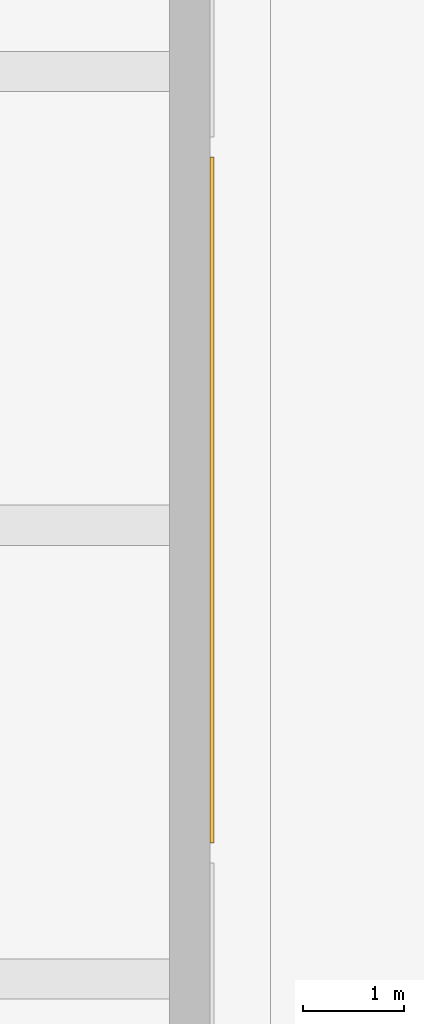
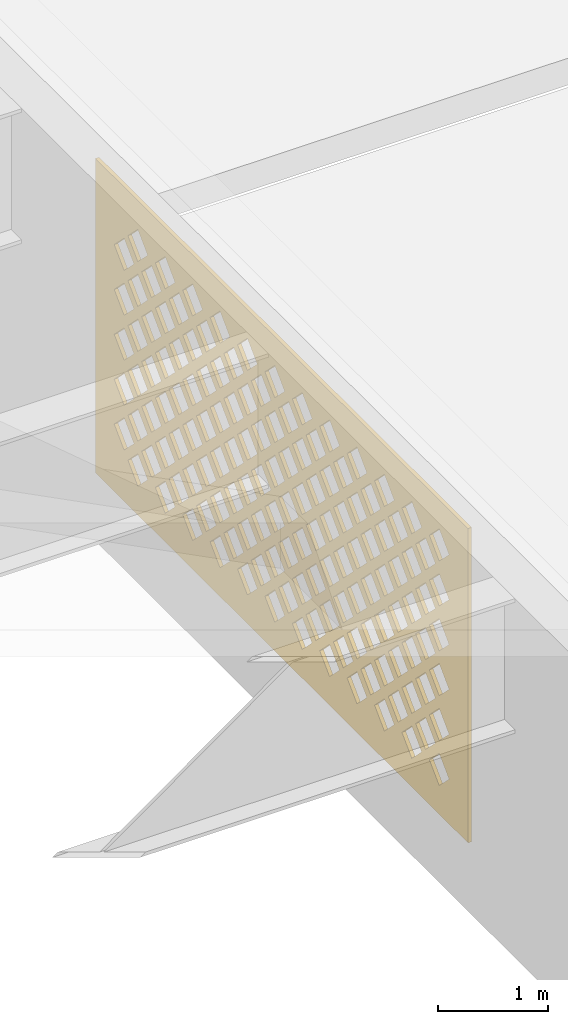
# One storey, part 32 of 63: 1 covering.
"""IFC4 building model written with IfcOpenShell, lengths in metres."""

from ifc_helpers import new_model, si_unit, direction, frame, origin, place, context, subcontext, project, spatial, polyline, outline, extrude, material, layer, layer_set, type_object, element, save


model = new_model("IFC4")

# Units and contexts
model_context = context("Model", 3, precision=1e-05, world=origin(), true_north=direction((0.0, 1.0)))
body_context = subcontext(model_context, "Body", "Model", "MODEL_VIEW")
ifc_project = project(units=[si_unit("LENGTHUNIT", "METRE"), si_unit("AREAUNIT", "SQUARE_METRE"), si_unit("VOLUMEUNIT", "CUBIC_METRE"), si_unit("PLANEANGLEUNIT", "RADIAN"), si_unit("MASSUNIT", "GRAM", prefix="KILO")], contexts=[model_context])

# Site, building, storey
site_placement = place(None, origin())
site = spatial("IfcSite", under=ifc_project, at=site_placement, CompositionType="ELEMENT")
building_placement = place(site_placement, origin())
building = spatial("IfcBuilding", under=site, at=building_placement, Name="Noorbagh Ring Tower", CompositionType="ELEMENT")
storey_placement = place(building_placement, frame((0.0, 0.0, 25.0)))
storey = spatial("IfcBuildingStorey", under=building, at=storey_placement, Name="L04", CompositionType="ELEMENT", Elevation=25.0)

# Covering
ifc_material = material(Name="Red sandstone jali", Category="masonry")
ifc_layer = layer(ifc_material, 0.0400390625)
ifc_layer_set = layer_set([ifc_layer], Name="Red sandstone jali")
covering_type = type_object("IfcCoveringType", Name="STH-BAND", PredefinedType="USERDEFINED", material=ifc_layer_set)
covering_placement = place(storey_placement, frame((-139.760009765625, 8.60009765625, 0.199951171875), z_axis=(1.0, 0.0, 0.0), x_axis=(0.0, 1.0, 0.0)))
element("IfcCovering", 1, at=covering_placement, inside=storey, type_object=covering_type, Name="Jali band of the stage house", ObjectType="JALI SCREEN", PredefinedType="USERDEFINED", context=body_context, shape_type="SweptSolid", body=[
    extrude(outline(polyline([(0.0, 0.0), (6.7998046875, 0.0), (6.7998046875, 3.5), (0.0, 3.5), (0.0, 0.0)]), holes=[polyline([(0.344970703125, 0.5), (0.52490234375, 0.320068359375), (0.705078125, 0.5), (0.52490234375, 0.679931640625), (0.344970703125, 0.5)]), polyline([(0.844970703125, 0.5), (1.02490234375, 0.320068359375), (1.205078125, 0.5), (1.02490234375, 0.679931640625), (0.844970703125, 0.5)]), polyline([(1.344970703125, 0.5), (1.52490234375, 0.320068359375), (1.705078125, 0.5), (1.52490234375, 0.679931640625), (1.344970703125, 0.5)]), polyline([(1.844970703125, 0.5), (2.02490234375, 0.320068359375), (2.205078125, 0.5), (2.02490234375, 0.679931640625), (1.844970703125, 0.5)]), polyline([(2.344970703125, 0.5), (2.52490234375, 0.320068359375), (2.705078125, 0.5), (2.52490234375, 0.679931640625), (2.344970703125, 0.5)]), polyline([(2.844970703125, 0.5), (3.02490234375, 0.320068359375), (3.205078125, 0.5), (3.02490234375, 0.679931640625), (2.844970703125, 0.5)]), polyline([(3.344970703125, 0.5), (3.52490234375, 0.320068359375), (3.705078125, 0.5), (3.52490234375, 0.679931640625), (3.344970703125, 0.5)]), polyline([(3.844970703125, 0.5), (4.02490234375, 0.320068359375), (4.205078125, 0.5), (4.02490234375, 0.679931640625), (3.844970703125, 0.5)]), polyline([(4.344970703125, 0.5), (4.52490234375, 0.320068359375), (4.705078125, 0.5), (4.52490234375, 0.679931640625), (4.344970703125, 0.5)]), polyline([(4.844970703125, 0.5), (5.02490234375, 0.320068359375), (5.205078125, 0.5), (5.02490234375, 0.679931640625), (4.844970703125, 0.5)]), polyline([(5.344970703125, 0.5), (5.52490234375, 0.320068359375), (5.705078125, 0.5), (5.52490234375, 0.679931640625), (5.344970703125, 0.5)]), polyline([(5.844970703125, 0.5), (6.02490234375, 0.320068359375), (6.205078125, 0.5), (6.02490234375, 0.679931640625), (5.844970703125, 0.5)]), polyline([(0.594970703125, 0.75), (0.77490234375, 0.570068359375), (0.955078125, 0.75), (0.77490234375, 0.929931640625), (0.594970703125, 0.75)]), polyline([(1.094970703125, 0.75), (1.27490234375, 0.570068359375), (1.455078125, 0.75), (1.27490234375, 0.929931640625), (1.094970703125, 0.75)]), polyline([(1.594970703125, 0.75), (1.77490234375, 0.570068359375), (1.955078125, 0.75), (1.77490234375, 0.929931640625), (1.594970703125, 0.75)]), polyline([(2.094970703125, 0.75), (2.27490234375, 0.570068359375), (2.455078125, 0.75), (2.27490234375, 0.929931640625), (2.094970703125, 0.75)]), polyline([(2.594970703125, 0.75), (2.77490234375, 0.570068359375), (2.955078125, 0.75), (2.77490234375, 0.929931640625), (2.594970703125, 0.75)]), polyline([(3.094970703125, 0.75), (3.27490234375, 0.570068359375), (3.455078125, 0.75), (3.27490234375, 0.929931640625), (3.094970703125, 0.75)]), polyline([(3.594970703125, 0.75), (3.77490234375, 0.570068359375), (3.955078125, 0.75), (3.77490234375, 0.929931640625), (3.594970703125, 0.75)]), polyline([(4.094970703125, 0.75), (4.27490234375, 0.570068359375), (4.455078125, 0.75), (4.27490234375, 0.929931640625), (4.094970703125, 0.75)]), polyline([(4.594970703125, 0.75), (4.77490234375, 0.570068359375), (4.955078125, 0.75), (4.77490234375, 0.929931640625), (4.594970703125, 0.75)]), polyline([(5.094970703125, 0.75), (5.27490234375, 0.570068359375), (5.455078125, 0.75), (5.27490234375, 0.929931640625), (5.094970703125, 0.75)]), polyline([(5.594970703125, 0.75), (5.77490234375, 0.570068359375), (5.955078125, 0.75), (5.77490234375, 0.929931640625), (5.594970703125, 0.75)]), polyline([(6.094970703125, 0.75), (6.27490234375, 0.570068359375), (6.455078125, 0.75), (6.27490234375, 0.929931640625), (6.094970703125, 0.75)]), polyline([(0.344970703125, 1.0), (0.52490234375, 0.820068359375), (0.705078125, 1.0), (0.52490234375, 1.179931640625), (0.344970703125, 1.0)]), polyline([(0.844970703125, 1.0), (1.02490234375, 0.820068359375), (1.205078125, 1.0), (1.02490234375, 1.179931640625), (0.844970703125, 1.0)]), polyline([(1.344970703125, 1.0), (1.52490234375, 0.820068359375), (1.705078125, 1.0), (1.52490234375, 1.179931640625), (1.344970703125, 1.0)]), polyline([(1.844970703125, 1.0), (2.02490234375, 0.820068359375), (2.205078125, 1.0), (2.02490234375, 1.179931640625), (1.844970703125, 1.0)]), polyline([(2.344970703125, 1.0), (2.52490234375, 0.820068359375), (2.705078125, 1.0), (2.52490234375, 1.179931640625), (2.344970703125, 1.0)]), polyline([(2.844970703125, 1.0), (3.02490234375, 0.820068359375), (3.205078125, 1.0), (3.02490234375, 1.179931640625), (2.844970703125, 1.0)]), polyline([(3.344970703125, 1.0), (3.52490234375, 0.820068359375), (3.705078125, 1.0), (3.52490234375, 1.179931640625), (3.344970703125, 1.0)]), polyline([(3.844970703125, 1.0), (4.02490234375, 0.820068359375), (4.205078125, 1.0), (4.02490234375, 1.179931640625), (3.844970703125, 1.0)]), polyline([(4.344970703125, 1.0), (4.52490234375, 0.820068359375), (4.705078125, 1.0), (4.52490234375, 1.179931640625), (4.344970703125, 1.0)]), polyline([(4.844970703125, 1.0), (5.02490234375, 0.820068359375), (5.205078125, 1.0), (5.02490234375, 1.179931640625), (4.844970703125, 1.0)]), polyline([(5.344970703125, 1.0), (5.52490234375, 0.820068359375), (5.705078125, 1.0), (5.52490234375, 1.179931640625), (5.344970703125, 1.0)]), polyline([(5.844970703125, 1.0), (6.02490234375, 0.820068359375), (6.205078125, 1.0), (6.02490234375, 1.179931640625), (5.844970703125, 1.0)]), polyline([(0.594970703125, 1.25), (0.77490234375, 1.070068359375), (0.955078125, 1.25), (0.77490234375, 1.429931640625), (0.594970703125, 1.25)]), polyline([(1.094970703125, 1.25), (1.27490234375, 1.070068359375), (1.455078125, 1.25), (1.27490234375, 1.429931640625), (1.094970703125, 1.25)]), polyline([(1.594970703125, 1.25), (1.77490234375, 1.070068359375), (1.955078125, 1.25), (1.77490234375, 1.429931640625), (1.594970703125, 1.25)]), polyline([(2.094970703125, 1.25), (2.27490234375, 1.070068359375), (2.455078125, 1.25), (2.27490234375, 1.429931640625), (2.094970703125, 1.25)]), polyline([(2.594970703125, 1.25), (2.77490234375, 1.070068359375), (2.955078125, 1.25), (2.77490234375, 1.429931640625), (2.594970703125, 1.25)]), polyline([(3.094970703125, 1.25), (3.27490234375, 1.070068359375), (3.455078125, 1.25), (3.27490234375, 1.429931640625), (3.094970703125, 1.25)]), polyline([(3.594970703125, 1.25), (3.77490234375, 1.070068359375), (3.955078125, 1.25), (3.77490234375, 1.429931640625), (3.594970703125, 1.25)]), polyline([(4.094970703125, 1.25), (4.27490234375, 1.070068359375), (4.455078125, 1.25), (4.27490234375, 1.429931640625), (4.094970703125, 1.25)]), polyline([(4.594970703125, 1.25), (4.77490234375, 1.070068359375), (4.955078125, 1.25), (4.77490234375, 1.429931640625), (4.594970703125, 1.25)]), polyline([(5.094970703125, 1.25), (5.27490234375, 1.070068359375), (5.455078125, 1.25), (5.27490234375, 1.429931640625), (5.094970703125, 1.25)]), polyline([(5.594970703125, 1.25), (5.77490234375, 1.070068359375), (5.955078125, 1.25), (5.77490234375, 1.429931640625), (5.594970703125, 1.25)]), polyline([(6.094970703125, 1.25), (6.27490234375, 1.070068359375), (6.455078125, 1.25), (6.27490234375, 1.429931640625), (6.094970703125, 1.25)]), polyline([(0.344970703125, 1.5), (0.52490234375, 1.320068359375), (0.705078125, 1.5), (0.52490234375, 1.679931640625), (0.344970703125, 1.5)]), polyline([(0.844970703125, 1.5), (1.02490234375, 1.320068359375), (1.205078125, 1.5), (1.02490234375, 1.679931640625), (0.844970703125, 1.5)]), polyline([(1.344970703125, 1.5), (1.52490234375, 1.320068359375), (1.705078125, 1.5), (1.52490234375, 1.679931640625), (1.344970703125, 1.5)]), polyline([(1.844970703125, 1.5), (2.02490234375, 1.320068359375), (2.205078125, 1.5), (2.02490234375, 1.679931640625), (1.844970703125, 1.5)]), polyline([(2.344970703125, 1.5), (2.52490234375, 1.320068359375), (2.705078125, 1.5), (2.52490234375, 1.679931640625), (2.344970703125, 1.5)]), polyline([(2.844970703125, 1.5), (3.02490234375, 1.320068359375), (3.205078125, 1.5), (3.02490234375, 1.679931640625), (2.844970703125, 1.5)]), polyline([(3.344970703125, 1.5), (3.52490234375, 1.320068359375), (3.705078125, 1.5), (3.52490234375, 1.679931640625), (3.344970703125, 1.5)]), polyline([(3.844970703125, 1.5), (4.02490234375, 1.320068359375), (4.205078125, 1.5), (4.02490234375, 1.679931640625), (3.844970703125, 1.5)]), polyline([(4.344970703125, 1.5), (4.52490234375, 1.320068359375), (4.705078125, 1.5), (4.52490234375, 1.679931640625), (4.344970703125, 1.5)]), polyline([(4.844970703125, 1.5), (5.02490234375, 1.320068359375), (5.205078125, 1.5), (5.02490234375, 1.679931640625), (4.844970703125, 1.5)]), polyline([(5.344970703125, 1.5), (5.52490234375, 1.320068359375), (5.705078125, 1.5), (5.52490234375, 1.679931640625), (5.344970703125, 1.5)]), polyline([(5.844970703125, 1.5), (6.02490234375, 1.320068359375), (6.205078125, 1.5), (6.02490234375, 1.679931640625), (5.844970703125, 1.5)]), polyline([(0.594970703125, 1.75), (0.77490234375, 1.570068359375), (0.955078125, 1.75), (0.77490234375, 1.929931640625), (0.594970703125, 1.75)]), polyline([(1.094970703125, 1.75), (1.27490234375, 1.570068359375), (1.455078125, 1.75), (1.27490234375, 1.929931640625), (1.094970703125, 1.75)]), polyline([(1.594970703125, 1.75), (1.77490234375, 1.570068359375), (1.955078125, 1.75), (1.77490234375, 1.929931640625), (1.594970703125, 1.75)]), polyline([(2.094970703125, 1.75), (2.27490234375, 1.570068359375), (2.455078125, 1.75), (2.27490234375, 1.929931640625), (2.094970703125, 1.75)]), polyline([(2.594970703125, 1.75), (2.77490234375, 1.570068359375), (2.955078125, 1.75), (2.77490234375, 1.929931640625), (2.594970703125, 1.75)]), polyline([(3.094970703125, 1.75), (3.27490234375, 1.570068359375), (3.455078125, 1.75), (3.27490234375, 1.929931640625), (3.094970703125, 1.75)]), polyline([(3.594970703125, 1.75), (3.77490234375, 1.570068359375), (3.955078125, 1.75), (3.77490234375, 1.929931640625), (3.594970703125, 1.75)]), polyline([(4.094970703125, 1.75), (4.27490234375, 1.570068359375), (4.455078125, 1.75), (4.27490234375, 1.929931640625), (4.094970703125, 1.75)]), polyline([(4.594970703125, 1.75), (4.77490234375, 1.570068359375), (4.955078125, 1.75), (4.77490234375, 1.929931640625), (4.594970703125, 1.75)]), polyline([(5.094970703125, 1.75), (5.27490234375, 1.570068359375), (5.455078125, 1.75), (5.27490234375, 1.929931640625), (5.094970703125, 1.75)]), polyline([(5.594970703125, 1.75), (5.77490234375, 1.570068359375), (5.955078125, 1.75), (5.77490234375, 1.929931640625), (5.594970703125, 1.75)]), polyline([(6.094970703125, 1.75), (6.27490234375, 1.570068359375), (6.455078125, 1.75), (6.27490234375, 1.929931640625), (6.094970703125, 1.75)]), polyline([(0.344970703125, 2.0), (0.52490234375, 1.820068359375), (0.705078125, 2.0), (0.52490234375, 2.179931640625), (0.344970703125, 2.0)]), polyline([(0.844970703125, 2.0), (1.02490234375, 1.820068359375), (1.205078125, 2.0), (1.02490234375, 2.179931640625), (0.844970703125, 2.0)]), polyline([(1.344970703125, 2.0), (1.52490234375, 1.820068359375), (1.705078125, 2.0), (1.52490234375, 2.179931640625), (1.344970703125, 2.0)]), polyline([(1.844970703125, 2.0), (2.02490234375, 1.820068359375), (2.205078125, 2.0), (2.02490234375, 2.179931640625), (1.844970703125, 2.0)]), polyline([(2.344970703125, 2.0), (2.52490234375, 1.820068359375), (2.705078125, 2.0), (2.52490234375, 2.179931640625), (2.344970703125, 2.0)]), polyline([(2.844970703125, 2.0), (3.02490234375, 1.820068359375), (3.205078125, 2.0), (3.02490234375, 2.179931640625), (2.844970703125, 2.0)]), polyline([(3.344970703125, 2.0), (3.52490234375, 1.820068359375), (3.705078125, 2.0), (3.52490234375, 2.179931640625), (3.344970703125, 2.0)]), polyline([(3.844970703125, 2.0), (4.02490234375, 1.820068359375), (4.205078125, 2.0), (4.02490234375, 2.179931640625), (3.844970703125, 2.0)]), polyline([(4.344970703125, 2.0), (4.52490234375, 1.820068359375), (4.705078125, 2.0), (4.52490234375, 2.179931640625), (4.344970703125, 2.0)]), polyline([(4.844970703125, 2.0), (5.02490234375, 1.820068359375), (5.205078125, 2.0), (5.02490234375, 2.179931640625), (4.844970703125, 2.0)]), polyline([(5.344970703125, 2.0), (5.52490234375, 1.820068359375), (5.705078125, 2.0), (5.52490234375, 2.179931640625), (5.344970703125, 2.0)]), polyline([(5.844970703125, 2.0), (6.02490234375, 1.820068359375), (6.205078125, 2.0), (6.02490234375, 2.179931640625), (5.844970703125, 2.0)]), polyline([(0.594970703125, 2.25), (0.77490234375, 2.070068359375), (0.955078125, 2.25), (0.77490234375, 2.429931640625), (0.594970703125, 2.25)]), polyline([(1.094970703125, 2.25), (1.27490234375, 2.070068359375), (1.455078125, 2.25), (1.27490234375, 2.429931640625), (1.094970703125, 2.25)]), polyline([(1.594970703125, 2.25), (1.77490234375, 2.070068359375), (1.955078125, 2.25), (1.77490234375, 2.429931640625), (1.594970703125, 2.25)]), polyline([(2.094970703125, 2.25), (2.27490234375, 2.070068359375), (2.455078125, 2.25), (2.27490234375, 2.429931640625), (2.094970703125, 2.25)]), polyline([(2.594970703125, 2.25), (2.77490234375, 2.070068359375), (2.955078125, 2.25), (2.77490234375, 2.429931640625), (2.594970703125, 2.25)]), polyline([(3.094970703125, 2.25), (3.27490234375, 2.070068359375), (3.455078125, 2.25), (3.27490234375, 2.429931640625), (3.094970703125, 2.25)]), polyline([(3.594970703125, 2.25), (3.77490234375, 2.070068359375), (3.955078125, 2.25), (3.77490234375, 2.429931640625), (3.594970703125, 2.25)]), polyline([(4.094970703125, 2.25), (4.27490234375, 2.070068359375), (4.455078125, 2.25), (4.27490234375, 2.429931640625), (4.094970703125, 2.25)]), polyline([(4.594970703125, 2.25), (4.77490234375, 2.070068359375), (4.955078125, 2.25), (4.77490234375, 2.429931640625), (4.594970703125, 2.25)]), polyline([(5.094970703125, 2.25), (5.27490234375, 2.070068359375), (5.455078125, 2.25), (5.27490234375, 2.429931640625), (5.094970703125, 2.25)]), polyline([(5.594970703125, 2.25), (5.77490234375, 2.070068359375), (5.955078125, 2.25), (5.77490234375, 2.429931640625), (5.594970703125, 2.25)]), polyline([(6.094970703125, 2.25), (6.27490234375, 2.070068359375), (6.455078125, 2.25), (6.27490234375, 2.429931640625), (6.094970703125, 2.25)]), polyline([(0.344970703125, 2.5), (0.52490234375, 2.320068359375), (0.705078125, 2.5), (0.52490234375, 2.679931640625), (0.344970703125, 2.5)]), polyline([(0.844970703125, 2.5), (1.02490234375, 2.320068359375), (1.205078125, 2.5), (1.02490234375, 2.679931640625), (0.844970703125, 2.5)]), polyline([(1.344970703125, 2.5), (1.52490234375, 2.320068359375), (1.705078125, 2.5), (1.52490234375, 2.679931640625), (1.344970703125, 2.5)]), polyline([(1.844970703125, 2.5), (2.02490234375, 2.320068359375), (2.205078125, 2.5), (2.02490234375, 2.679931640625), (1.844970703125, 2.5)]), polyline([(2.344970703125, 2.5), (2.52490234375, 2.320068359375), (2.705078125, 2.5), (2.52490234375, 2.679931640625), (2.344970703125, 2.5)]), polyline([(2.844970703125, 2.5), (3.02490234375, 2.320068359375), (3.205078125, 2.5), (3.02490234375, 2.679931640625), (2.844970703125, 2.5)]), polyline([(3.344970703125, 2.5), (3.52490234375, 2.320068359375), (3.705078125, 2.5), (3.52490234375, 2.679931640625), (3.344970703125, 2.5)]), polyline([(3.844970703125, 2.5), (4.02490234375, 2.320068359375), (4.205078125, 2.5), (4.02490234375, 2.679931640625), (3.844970703125, 2.5)]), polyline([(4.344970703125, 2.5), (4.52490234375, 2.320068359375), (4.705078125, 2.5), (4.52490234375, 2.679931640625), (4.344970703125, 2.5)]), polyline([(4.844970703125, 2.5), (5.02490234375, 2.320068359375), (5.205078125, 2.5), (5.02490234375, 2.679931640625), (4.844970703125, 2.5)]), polyline([(5.344970703125, 2.5), (5.52490234375, 2.320068359375), (5.705078125, 2.5), (5.52490234375, 2.679931640625), (5.344970703125, 2.5)]), polyline([(5.844970703125, 2.5), (6.02490234375, 2.320068359375), (6.205078125, 2.5), (6.02490234375, 2.679931640625), (5.844970703125, 2.5)]), polyline([(0.594970703125, 2.75), (0.77490234375, 2.570068359375), (0.955078125, 2.75), (0.77490234375, 2.929931640625), (0.594970703125, 2.75)]), polyline([(1.094970703125, 2.75), (1.27490234375, 2.570068359375), (1.455078125, 2.75), (1.27490234375, 2.929931640625), (1.094970703125, 2.75)]), polyline([(1.594970703125, 2.75), (1.77490234375, 2.570068359375), (1.955078125, 2.75), (1.77490234375, 2.929931640625), (1.594970703125, 2.75)]), polyline([(2.094970703125, 2.75), (2.27490234375, 2.570068359375), (2.455078125, 2.75), (2.27490234375, 2.929931640625), (2.094970703125, 2.75)]), polyline([(2.594970703125, 2.75), (2.77490234375, 2.570068359375), (2.955078125, 2.75), (2.77490234375, 2.929931640625), (2.594970703125, 2.75)]), polyline([(3.094970703125, 2.75), (3.27490234375, 2.570068359375), (3.455078125, 2.75), (3.27490234375, 2.929931640625), (3.094970703125, 2.75)]), polyline([(3.594970703125, 2.75), (3.77490234375, 2.570068359375), (3.955078125, 2.75), (3.77490234375, 2.929931640625), (3.594970703125, 2.75)]), polyline([(4.094970703125, 2.75), (4.27490234375, 2.570068359375), (4.455078125, 2.75), (4.27490234375, 2.929931640625), (4.094970703125, 2.75)]), polyline([(4.594970703125, 2.75), (4.77490234375, 2.570068359375), (4.955078125, 2.75), (4.77490234375, 2.929931640625), (4.594970703125, 2.75)]), polyline([(5.094970703125, 2.75), (5.27490234375, 2.570068359375), (5.455078125, 2.75), (5.27490234375, 2.929931640625), (5.094970703125, 2.75)]), polyline([(5.594970703125, 2.75), (5.77490234375, 2.570068359375), (5.955078125, 2.75), (5.77490234375, 2.929931640625), (5.594970703125, 2.75)]), polyline([(6.094970703125, 2.75), (6.27490234375, 2.570068359375), (6.455078125, 2.75), (6.27490234375, 2.929931640625), (6.094970703125, 2.75)]), polyline([(0.344970703125, 3.0), (0.52490234375, 2.820068359375), (0.705078125, 3.0), (0.52490234375, 3.179931640625), (0.344970703125, 3.0)]), polyline([(0.844970703125, 3.0), (1.02490234375, 2.820068359375), (1.205078125, 3.0), (1.02490234375, 3.179931640625), (0.844970703125, 3.0)]), polyline([(1.344970703125, 3.0), (1.52490234375, 2.820068359375), (1.705078125, 3.0), (1.52490234375, 3.179931640625), (1.344970703125, 3.0)]), polyline([(1.844970703125, 3.0), (2.02490234375, 2.820068359375), (2.205078125, 3.0), (2.02490234375, 3.179931640625), (1.844970703125, 3.0)]), polyline([(2.344970703125, 3.0), (2.52490234375, 2.820068359375), (2.705078125, 3.0), (2.52490234375, 3.179931640625), (2.344970703125, 3.0)]), polyline([(2.844970703125, 3.0), (3.02490234375, 2.820068359375), (3.205078125, 3.0), (3.02490234375, 3.179931640625), (2.844970703125, 3.0)]), polyline([(3.344970703125, 3.0), (3.52490234375, 2.820068359375), (3.705078125, 3.0), (3.52490234375, 3.179931640625), (3.344970703125, 3.0)]), polyline([(3.844970703125, 3.0), (4.02490234375, 2.820068359375), (4.205078125, 3.0), (4.02490234375, 3.179931640625), (3.844970703125, 3.0)]), polyline([(4.344970703125, 3.0), (4.52490234375, 2.820068359375), (4.705078125, 3.0), (4.52490234375, 3.179931640625), (4.344970703125, 3.0)]), polyline([(4.844970703125, 3.0), (5.02490234375, 2.820068359375), (5.205078125, 3.0), (5.02490234375, 3.179931640625), (4.844970703125, 3.0)]), polyline([(5.344970703125, 3.0), (5.52490234375, 2.820068359375), (5.705078125, 3.0), (5.52490234375, 3.179931640625), (5.344970703125, 3.0)]), polyline([(5.844970703125, 3.0), (6.02490234375, 2.820068359375), (6.205078125, 3.0), (6.02490234375, 3.179931640625), (5.844970703125, 3.0)])]), origin(), (0.0, 0.0, -1.0), 0.0400390625),
])

save(model, "model.ifc")
